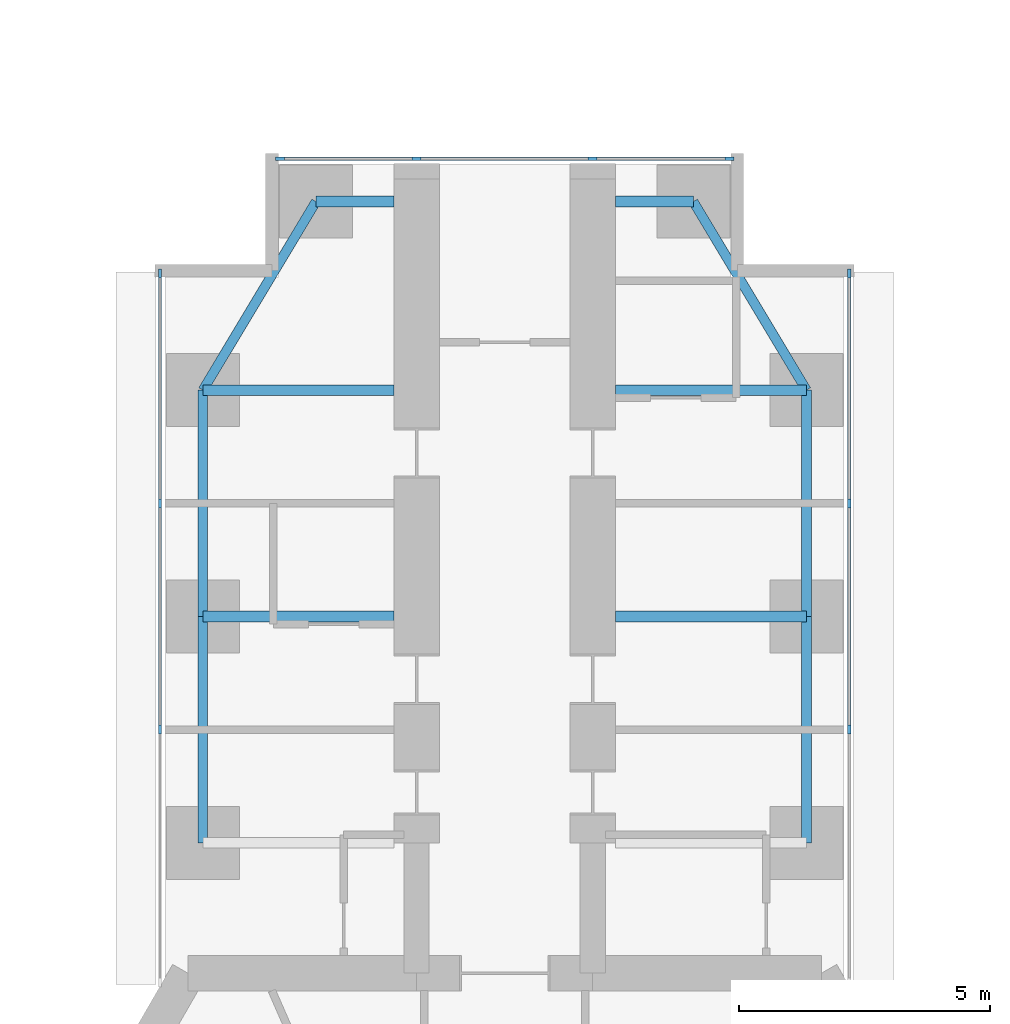
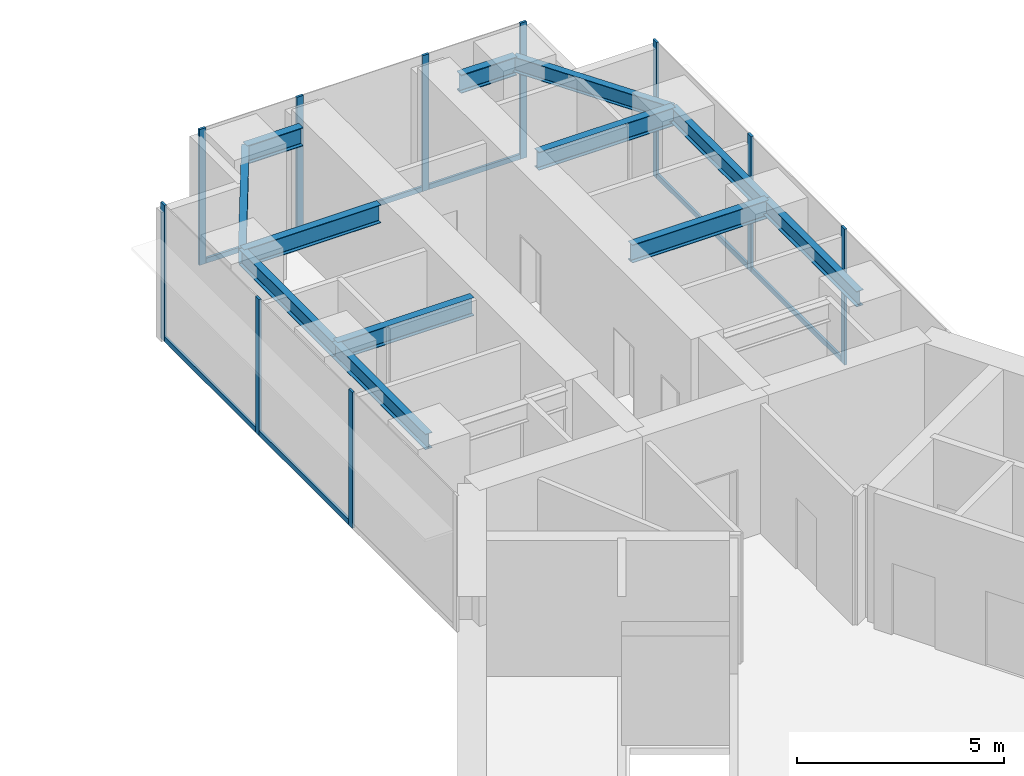
# One storey, part 13 of 24: 17 members, 12 beams, 3 elements without a shape of their own.
"""IFC4 building model written with IfcOpenShell, lengths in metres."""

import ifcopenshell
import ifcopenshell.guid

model = None  # the IFC model being written
_history = None  # IfcOwnerHistory: only IFC2X3 demands one
_inside = {}  # id of a spatial element -> (the spatial element, [elements in it])
_under = {}  # id of a project, library or spatial element -> (it, [spatial elements below it])
_declared = {}  # id of a project -> (the project, [libraries it declares])
_typed = {}  # id of a type object -> (the type object, [elements of that type])
_made_of = {}  # id of a material, layer set ... -> (it, [elements and type objects made of it])


def new_model(schema):
    """Start an empty IFC model of exactly this schema.

    Asked for "IFC4X3", IfcOpenShell would pick the latest addendum, in which some entities
    have other attributes; the version numbers below select the first issue.
    IFC2X3 requires an IfcOwnerHistory on every rooted entity: one is made here for all.
    """
    global model, _history
    if schema == "IFC4X3":
        model = ifcopenshell.file(schema_version=(4, 3, 0, 0))
    else:
        model = ifcopenshell.file(schema=schema)
    _inside.clear()
    _under.clear()
    _declared.clear()
    _typed.clear()
    _made_of.clear()
    _history = None
    if model.schema == "IFC2X3":
        org = make("IfcOrganization", Name="unknown")
        user = make(
            "IfcPersonAndOrganization",
            ThePerson=make("IfcPerson", FamilyName="unknown"),
            TheOrganization=org,
        )
        app = make(
            "IfcApplication",
            ApplicationDeveloper=org,
            Version="unknown",
            ApplicationFullName="unknown",
            ApplicationIdentifier="unknown",
        )
        _history = make(
            "IfcOwnerHistory",
            OwningUser=user,
            OwningApplication=app,
            ChangeAction="ADDED",
            CreationDate=0,
        )
    return model


def make(cls, **values):
    """One entity of the class cls with the attributes given. An attribute that is None is left unset."""
    return model.create_entity(
        cls, **{name: value for name, value in values.items() if value is not None}
    )


def rooted(cls, **values):
    """An entity with a GlobalId (a new one), such as an element, a storey or a relation."""
    return make(cls, GlobalId=ifcopenshell.guid.new(), OwnerHistory=_history, **values)


def si_unit(unit_type, name, prefix=None):
    """IfcSIUnit, for example si_unit("LENGTHUNIT", "METRE", prefix="MILLI")."""
    return make("IfcSIUnit", UnitType=unit_type, Prefix=prefix, Name=name)


def assignment(units):
    """IfcUnitAssignment: the units of a project."""
    return None if units is None else make("IfcUnitAssignment", Units=units)


def point(xyz):
    """IfcCartesianPoint."""
    return None if xyz is None else make("IfcCartesianPoint", Coordinates=xyz)


def direction(xyz):
    """IfcDirection."""
    return None if xyz is None else make("IfcDirection", DirectionRatios=xyz)


def frame(location, z_axis=None, x_axis=None):
    """IfcAxis2Placement3D, a coordinate frame: its origin and axes. An axis left out is left unset."""
    return make(
        "IfcAxis2Placement3D",
        Location=point(location),
        Axis=direction(z_axis),
        RefDirection=direction(x_axis),
    )


def frame_2d(location, x_axis=None):
    """IfcAxis2Placement2D, a coordinate frame in the plane: its origin and x axis."""
    return make(
        "IfcAxis2Placement2D", Location=point(location), RefDirection=direction(x_axis)
    )


def origin():
    """The frame at (0, 0, 0) with its axes left unset."""
    return frame((0.0, 0.0, 0.0))


def origin_2d():
    """The frame at (0, 0) in the plane with its x axis left unset."""
    return frame_2d((0.0, 0.0))


def place(relative_to, where):
    """IfcLocalPlacement: puts the frame where relative to a parent placement (None: the world)."""
    return make(
        "IfcLocalPlacement", PlacementRelTo=relative_to, RelativePlacement=where
    )


def context(
    kind, dimensions, precision=None, world=None, true_north=None, identifier=None
):
    """IfcGeometricRepresentationContext, for example the 3D "Model" context."""
    return make(
        "IfcGeometricRepresentationContext",
        ContextIdentifier=identifier,
        ContextType=kind,
        CoordinateSpaceDimension=dimensions,
        Precision=precision,
        WorldCoordinateSystem=world,
        TrueNorth=true_north,
    )


def subcontext(parent, identifier, kind, view, scale=None):
    """IfcGeometricRepresentationSubContext, for example "Body" below "Model"."""
    return make(
        "IfcGeometricRepresentationSubContext",
        ContextIdentifier=identifier,
        ContextType=kind,
        ParentContext=parent,
        TargetScale=scale,
        TargetView=view,
    )


def project(units=None, contexts=None):
    """IfcProject with its units and contexts."""
    return rooted(
        "IfcProject",
        Name="project",
        RepresentationContexts=contexts,
        UnitsInContext=assignment(units),
    )


def spatial(cls, under=None, at=None, **own):
    """A site, building, storey or space (cls), placed at a placement, below another one or the project."""
    s = rooted(cls, ObjectPlacement=at, **own)
    if under is not None:
        _under.setdefault(under.id(), (under, []))[1].append(s)
    return s


def profile(cls, at=None, kind="AREA", **sizes):
    """A parametric profile (cls). Its sizes go by their IFC names, for example OverallWidth=200.0."""
    return make(cls, ProfileType=kind, Position=at, **sizes)


def rectangle(**sizes):
    """IfcRectangleProfileDef."""
    return profile("IfcRectangleProfileDef", **sizes)


def i_section(**sizes):
    """IfcIShapeProfileDef."""
    return profile("IfcIShapeProfileDef", **sizes)


def extrude(swept, where, along, depth):
    """IfcExtrudedAreaSolid: the profile swept, set in the frame where, extruded along a direction by depth."""
    return make(
        "IfcExtrudedAreaSolid",
        SweptArea=swept,
        Position=where,
        ExtrudedDirection=direction(along),
        Depth=depth,
    )


def shape(context_of_items, identifier, shape_type, items):
    """IfcShapeRepresentation: the items that make up one representation, for example the "Body"."""
    return make(
        "IfcShapeRepresentation",
        ContextOfItems=context_of_items,
        RepresentationIdentifier=identifier,
        RepresentationType=shape_type,
        Items=items,
    )


def material(Name=None, Category=None):
    """IfcMaterial."""
    return make("IfcMaterial", Name=Name, Category=Category)


def material_profile(
    of_material, cross_section, Name=None, Category=None, Priority=None
):
    """IfcMaterialProfile: a cross section and its material."""
    return make(
        "IfcMaterialProfile",
        Name=Name,
        Material=of_material,
        Profile=cross_section,
        Priority=Priority,
        Category=Category,
    )


def profile_set(profiles, Name=None, composite=None):
    """IfcMaterialProfileSet."""
    return make(
        "IfcMaterialProfileSet",
        Name=Name,
        MaterialProfiles=profiles,
        CompositeProfile=composite,
    )


def made_of(thing, what):
    """Note that an element or type object is made of a material, layer set ...; save() writes the relation."""
    if what is not None:
        _made_of.setdefault(what.id(), (what, []))[1].append(thing)
    return thing


def type_object(cls, material=None, **own):
    """A type object (cls), such as IfcWallType, which elements share."""
    return made_of(rooted(cls, **own), material)


def element(
    cls,
    number,
    at=None,
    inside=None,
    cuts=None,
    type_object=None,
    material=None,
    context=None,
    identifier="Body",
    shape_type=None,
    held_by="IfcProductDefinitionShape",
    body=None,
    shapes=None,
    **own,
):
    """One element of the class cls, such as IfcWall. Its Tag is "e" and its number.

    at: its placement. inside: the storey or other place that contains it. cuts: it is an
    opening in that element (IfcRelVoidsElement). A single representation is given by context,
    identifier, shape_type and body (its items); several are given by shapes. held_by: the class
    of the entity that holds the representations. save() writes the other relations.
    """
    e = rooted(cls, Tag="e%d" % number, ObjectPlacement=at, **own)
    if body is not None:
        shapes = [shape(context, identifier, shape_type, body)]
    if shapes is not None:
        e.Representation = make(held_by, Representations=shapes)
    if inside is not None:
        _inside.setdefault(inside.id(), (inside, []))[1].append(e)
    if cuts is not None:
        rooted(
            "IfcRelVoidsElement", RelatingBuildingElement=cuts, RelatedOpeningElement=e
        )
    if type_object is not None:
        _typed.setdefault(type_object.id(), (type_object, []))[1].append(e)
    return made_of(e, material)


def aggregate(whole, parts):
    """IfcRelAggregates: a whole, such as a stair, and the parts it consists of."""
    return rooted("IfcRelAggregates", RelatingObject=whole, RelatedObjects=parts)


def save(model, path):
    """Write the relations noted so far, then the file.

    IfcRelAggregates (storeys below a building ...), IfcRelContainedInSpatialStructure (elements
    in a storey), IfcRelDefinesByType, IfcRelAssociatesMaterial and IfcRelDeclares: one each for
    every whole, place, type object, material and project.
    """
    for whole, parts in _under.values():
        aggregate(whole, parts)
    for where, things in _inside.values():
        rooted(
            "IfcRelContainedInSpatialStructure",
            RelatedElements=things,
            RelatingStructure=where,
        )
    for kind, things in _typed.values():
        rooted("IfcRelDefinesByType", RelatedObjects=things, RelatingType=kind)
    for what, things in _made_of.values():
        rooted("IfcRelAssociatesMaterial", RelatedObjects=things, RelatingMaterial=what)
    for by, libraries in _declared.values():
        rooted("IfcRelDeclares", RelatingContext=by, RelatedDefinitions=libraries)
    model.write(path)


model = new_model("IFC4")

# Units and contexts
model_context = context("Model", 3, precision=1e-05, world=origin(), true_north=direction((0.0, 1.0)))
body_context = subcontext(model_context, "Body", "Model", "MODEL_VIEW")
ifc_project = project(units=[si_unit("LENGTHUNIT", "METRE"), si_unit("AREAUNIT", "SQUARE_METRE"), si_unit("VOLUMEUNIT", "CUBIC_METRE"), si_unit("PLANEANGLEUNIT", "RADIAN"), si_unit("MASSUNIT", "GRAM", prefix="KILO")], contexts=[model_context])

# Site, building, storey
site_placement = place(None, origin())
site = spatial("IfcSite", under=ifc_project, at=site_placement, CompositionType="ELEMENT")
building_placement = place(site_placement, origin())
building = spatial("IfcBuilding", under=site, at=building_placement, Name="Upepo Twin Towers", CompositionType="ELEMENT")
storey_placement = place(building_placement, frame((0.0, 0.0, 52.5)))
storey = spatial("IfcBuildingStorey", under=building, at=storey_placement, Name="L12", CompositionType="ELEMENT", Elevation=52.5)

# Beams
ifc_material_1 = material(Name="Steel S355", Category="steel")
ifc_material_profile_1 = material_profile(ifc_material_1, i_section(OverallWidth=0.1904296875, OverallDepth=0.45703125, WebThickness=0.009033203125, FlangeThickness=0.014404296875, FilletRadius=0.01025390625, at=origin_2d()), Name="UB 457x191x74")
ifc_profile_set_1 = profile_set([ifc_material_profile_1], Name="Steel S355")
beam_type_1 = type_object("IfcBeamType", Name="Beam UB 457x191x74", PredefinedType="BEAM", material=ifc_profile_set_1)
for number, where, z_axis, x_axis, name in (
    (1, (52.5, -4.5, 3.571533203125), (0.0, 1.0, 0.0), (-1.0, 0.0, 0.0), "T2 edge beam AL 13.5-18.0"),
    (2, (52.5, 0.0, 3.571533203125), (0.0, 1.0, 0.0), (-1.0, 0.0, 0.0), "T2 edge beam AL 18.0-22.5"),
):
    element("IfcBeam", number, at=place(storey_placement, frame(where, z_axis=z_axis, x_axis=x_axis)), inside=storey, type_object=beam_type_1, Name=name, PredefinedType="BEAM", context=body_context, shape_type="SweptSolid", body=[
        extrude(i_section(OverallWidth=0.1904296875, OverallDepth=0.45703125, WebThickness=0.009033203125, FlangeThickness=0.014404296875, FilletRadius=0.01025390625, at=origin_2d()), origin(), (0.0, 0.0, 1.0), 4.5),
    ])
beam_1_placement = place(storey_placement, frame((52.5, 4.5, 3.571533203125), z_axis=(0.514495755428, 0.857492925713, 0.0), x_axis=(-0.857492925713, 0.514495755428, 0.0)))
element("IfcBeam", 3, at=beam_1_placement, inside=storey, type_object=beam_type_1, Name="T2 nose edge beam AL", PredefinedType="BEAM", context=body_context, shape_type="SweptSolid", body=[
    extrude(i_section(OverallWidth=0.1904296875, OverallDepth=0.45703125, WebThickness=0.009033203125, FlangeThickness=0.014404296875, FilletRadius=0.01025390625, at=origin_2d()), origin(), (0.0, 0.0, 1.0), 4.373291015625),
])
for number, where, z_axis, x_axis, name in (
    (4, (64.5, -4.5, 3.571533203125), (0.0, 1.0, 0.0), (-1.0, 0.0, 0.0), "T2 edge beam AR 13.5-18.0"),
    (5, (64.5, 0.0, 3.571533203125), (0.0, 1.0, 0.0), (-1.0, 0.0, 0.0), "T2 edge beam AR 18.0-22.5"),
):
    element("IfcBeam", number, at=place(storey_placement, frame(where, z_axis=z_axis, x_axis=x_axis)), inside=storey, type_object=beam_type_1, Name=name, PredefinedType="BEAM", context=body_context, shape_type="SweptSolid", body=[
        extrude(i_section(OverallWidth=0.1904296875, OverallDepth=0.45703125, WebThickness=0.009033203125, FlangeThickness=0.014404296875, FilletRadius=0.01025390625, at=origin_2d()), origin(), (0.0, 0.0, 1.0), 4.5),
    ])
beam_2_placement = place(storey_placement, frame((64.5, 4.5, 3.571533203125), z_axis=(-0.514495755428, 0.857492925713, 0.0), x_axis=(-0.857492925713, -0.514495755428, 0.0)))
element("IfcBeam", 6, at=beam_2_placement, inside=storey, type_object=beam_type_1, Name="T2 nose edge beam AR", PredefinedType="BEAM", context=body_context, shape_type="SweptSolid", body=[
    extrude(i_section(OverallWidth=0.1904296875, OverallDepth=0.45703125, WebThickness=0.009033203125, FlangeThickness=0.014404296875, FilletRadius=0.01025390625, at=origin_2d()), origin(), (0.0, 0.0, 1.0), 4.373291015625),
])
ifc_material_2 = material(Name="Steel S355", Category="steel")
ifc_material_profile_2 = material_profile(ifc_material_2, i_section(OverallWidth=0.2119140625, OverallDepth=0.54443359375, WebThickness=0.0126953125, FlangeThickness=0.021240234375, FilletRadius=0.0126953125, at=origin_2d()), Name="UB 533x210x122")
ifc_profile_set_2 = profile_set([ifc_material_profile_2], Name="Steel S355")
beam_type_2 = type_object("IfcBeamType", Name="Beam UB 533x210x122", PredefinedType="BEAM", material=ifc_profile_set_2)
for number, where, z_axis, x_axis, name in (
    (7, (54.75, 8.25, 3.52783203125), (1.0, 0.0, 0.0), (0.0, 1.0, 0.0), "T2 nose beam AL"),
    (8, (62.25, 8.25, 3.52783203125), (-1.0, 0.0, 0.0), (0.0, -1.0, 0.0), "T2 nose beam AR"),
):
    element("IfcBeam", number, at=place(storey_placement, frame(where, z_axis=z_axis, x_axis=x_axis)), inside=storey, type_object=beam_type_2, Name=name, PredefinedType="BEAM", context=body_context, shape_type="SweptSolid", body=[
        extrude(i_section(OverallWidth=0.2119140625, OverallDepth=0.54443359375, WebThickness=0.0126953125, FlangeThickness=0.021240234375, FilletRadius=0.0126953125, at=origin_2d()), origin(), (0.0, 0.0, 1.0), 1.550048828125),
    ])
ifc_material_3 = material(Name="Steel S355", Category="steel")
ifc_material_profile_3 = material_profile(ifc_material_3, i_section(OverallWidth=0.209228515625, OverallDepth=0.533203125, WebThickness=0.010009765625, FlangeThickness=0.015625, FilletRadius=0.0126953125, at=origin_2d()), Name="UB 533x210x92")
ifc_profile_set_3 = profile_set([ifc_material_profile_3], Name="Steel S355")
beam_type_3 = type_object("IfcBeamType", Name="Beam UB 533x210x92", PredefinedType="BEAM", material=ifc_profile_set_3)
for number, where, z_axis, x_axis, name in (
    (9, (52.5, 0.0, 3.533447265625), (1.0, 0.0, 0.0), (0.0, 1.0, 0.0), "T2 girder AL at 18.0"),
    (10, (52.5, 4.5, 3.533447265625), (1.0, 0.0, 0.0), (0.0, 1.0, 0.0), "T2 girder AL at 22.5"),
    (11, (64.5, 0.0, 3.533447265625), (-1.0, 0.0, 0.0), (0.0, -1.0, 0.0), "T2 girder AR at 18.0"),
    (12, (64.5, 4.5, 3.533447265625), (-1.0, 0.0, 0.0), (0.0, -1.0, 0.0), "T2 girder AR at 22.5"),
):
    element("IfcBeam", number, at=place(storey_placement, frame(where, z_axis=z_axis, x_axis=x_axis)), inside=storey, type_object=beam_type_3, Name=name, PredefinedType="BEAM", context=body_context, shape_type="SweptSolid", body=[
        extrude(i_section(OverallWidth=0.209228515625, OverallDepth=0.533203125, WebThickness=0.010009765625, FlangeThickness=0.015625, FilletRadius=0.0126953125, at=origin_2d()), origin(), (0.0, 0.0, 1.0), 3.800048828125),
    ])

# Curtain wall, members
ifc_material_4 = material(Name="Aluminium and fritted glass", Category="aluminium")
curtain_wall_type = type_object("IfcCurtainWallType", Name="Tower curtain wall TW1, fritted glass", PredefinedType="NOTDEFINED", material=ifc_material_4)
curtain_wall_1_placement = place(storey_placement, origin())
curtain_wall_1 = element("IfcCurtainWall", 13, at=curtain_wall_1_placement, inside=storey, type_object=curtain_wall_type, Name="T2 L12 wing A flank L curtain wall", PredefinedType="NOTDEFINED")
ifc_material_5 = material(Name="Aluminium mullion", Category="aluminium")
ifc_material_profile_4 = material_profile(ifc_material_5, rectangle(XDim=0.06494140625, YDim=0.179931640625, at=origin_2d()), Name="MULLION 65x180")
ifc_profile_set_4 = profile_set([ifc_material_profile_4], Name="Aluminium mullion")
member_type_1 = type_object("IfcMemberType", Name="Mullion 65x180 TW1", PredefinedType="MULLION", material=ifc_profile_set_4)
member_1_placement = place(storey_placement, frame((51.64990234375, -2.25, 0.0), z_axis=(0.0, 0.0, 1.0), x_axis=(-1.0, 0.0, 0.0)))
member_1 = element("IfcMember", 14, at=member_1_placement, type_object=member_type_1, Name="T2 L12 wing A flank L curtain wall mullion 2", PredefinedType="MULLION", context=body_context, shape_type="SweptSolid", body=[
    extrude(rectangle(XDim=0.06494140625, YDim=0.179931640625, at=origin_2d()), origin(), (0.0, 0.0, 1.0), 4.0),
])
member_2_placement = place(storey_placement, frame((51.64990234375, 2.25, 0.0), z_axis=(0.0, 0.0, 1.0), x_axis=(-1.0, 0.0, 0.0)))
member_2 = element("IfcMember", 15, at=member_2_placement, type_object=member_type_1, Name="T2 L12 wing A flank L curtain wall mullion 3", PredefinedType="MULLION", context=body_context, shape_type="SweptSolid", body=[
    extrude(rectangle(XDim=0.06494140625, YDim=0.179931640625, at=origin_2d()), origin(), (0.0, 0.0, 1.0), 4.0),
])
member_3_placement = place(storey_placement, frame((51.64990234375, 6.8173828125, 0.0), z_axis=(0.0, 0.0, 1.0), x_axis=(-1.0, 0.0, 0.0)))
member_3 = element("IfcMember", 16, at=member_3_placement, type_object=member_type_1, Name="T2 L12 wing A flank L curtain wall mullion 4", PredefinedType="MULLION", context=body_context, shape_type="SweptSolid", body=[
    extrude(rectangle(XDim=0.06494140625, YDim=0.179931640625, at=origin_2d()), origin(), (0.0, 0.0, 1.0), 4.0),
])

curtain_wall_2_placement = place(storey_placement, origin())
curtain_wall_2 = element("IfcCurtainWall", 17, at=curtain_wall_2_placement, inside=storey, type_object=curtain_wall_type, Name="T2 L12 wing A flank R curtain wall", PredefinedType="NOTDEFINED")
member_4_placement = place(storey_placement, frame((65.35009765625, 6.8173828125, 0.0), z_axis=(0.0, 0.0, 1.0), x_axis=(1.0, 0.0, 0.0)))
member_4 = element("IfcMember", 18, at=member_4_placement, type_object=member_type_1, Name="T2 L12 wing A flank R curtain wall mullion 1", PredefinedType="MULLION", context=body_context, shape_type="SweptSolid", body=[
    extrude(rectangle(XDim=0.06494140625, YDim=0.179931640625, at=origin_2d()), origin(), (0.0, 0.0, 1.0), 4.0),
])
member_5_placement = place(storey_placement, frame((65.35009765625, 2.25, 0.0), z_axis=(0.0, 0.0, 1.0), x_axis=(1.0, 0.0, 0.0)))
member_5 = element("IfcMember", 19, at=member_5_placement, type_object=member_type_1, Name="T2 L12 wing A flank R curtain wall mullion 2", PredefinedType="MULLION", context=body_context, shape_type="SweptSolid", body=[
    extrude(rectangle(XDim=0.06494140625, YDim=0.179931640625, at=origin_2d()), origin(), (0.0, 0.0, 1.0), 4.0),
])
member_6_placement = place(storey_placement, frame((65.35009765625, -2.25, 0.0), z_axis=(0.0, 0.0, 1.0), x_axis=(1.0, 0.0, 0.0)))
member_6 = element("IfcMember", 20, at=member_6_placement, type_object=member_type_1, Name="T2 L12 wing A flank R curtain wall mullion 3", PredefinedType="MULLION", context=body_context, shape_type="SweptSolid", body=[
    extrude(rectangle(XDim=0.06494140625, YDim=0.179931640625, at=origin_2d()), origin(), (0.0, 0.0, 1.0), 4.0),
])

curtain_wall_3_placement = place(storey_placement, origin())
curtain_wall_3 = element("IfcCurtainWall", 21, at=curtain_wall_3_placement, inside=storey, type_object=curtain_wall_type, Name="T2 L12 wing A nose curtain wall", PredefinedType="NOTDEFINED")
member_7_placement = place(storey_placement, frame((62.967529296875, 9.10009765625, 0.0), z_axis=(0.0, 0.0, 1.0), x_axis=(0.0, -1.0, 0.0)))
member_7 = element("IfcMember", 22, at=member_7_placement, type_object=member_type_1, Name="T2 L12 wing A nose curtain wall mullion 1", PredefinedType="MULLION", context=body_context, shape_type="SweptSolid", body=[
    extrude(rectangle(XDim=0.06494140625, YDim=0.179931640625, at=origin_2d()), origin(), (0.0, 0.0, 1.0), 4.0),
])
member_8_placement = place(storey_placement, frame((60.25, 9.10009765625, 0.0), z_axis=(0.0, 0.0, 1.0), x_axis=(0.0, -1.0, 0.0)))
member_8 = element("IfcMember", 23, at=member_8_placement, type_object=member_type_1, Name="T2 L12 wing A nose curtain wall mullion 2", PredefinedType="MULLION", context=body_context, shape_type="SweptSolid", body=[
    extrude(rectangle(XDim=0.06494140625, YDim=0.179931640625, at=origin_2d()), origin(), (0.0, 0.0, 1.0), 4.0),
])
member_9_placement = place(storey_placement, frame((56.75, 9.10009765625, 0.0), z_axis=(0.0, 0.0, 1.0), x_axis=(0.0, -1.0, 0.0)))
member_9 = element("IfcMember", 24, at=member_9_placement, type_object=member_type_1, Name="T2 L12 wing A nose curtain wall mullion 3", PredefinedType="MULLION", context=body_context, shape_type="SweptSolid", body=[
    extrude(rectangle(XDim=0.06494140625, YDim=0.179931640625, at=origin_2d()), origin(), (0.0, 0.0, 1.0), 4.0),
])
member_10_placement = place(storey_placement, frame((54.032470703125, 9.10009765625, 0.0), z_axis=(0.0, 0.0, 1.0), x_axis=(0.0, -1.0, 0.0)))
member_10 = element("IfcMember", 25, at=member_10_placement, type_object=member_type_1, Name="T2 L12 wing A nose curtain wall mullion 4", PredefinedType="MULLION", context=body_context, shape_type="SweptSolid", body=[
    extrude(rectangle(XDim=0.06494140625, YDim=0.179931640625, at=origin_2d()), origin(), (0.0, 0.0, 1.0), 4.0),
])

# Member
ifc_material_6 = material(Name="Aluminium transom", Category="aluminium")
ifc_material_profile_5 = material_profile(ifc_material_6, rectangle(XDim=0.06494140625, YDim=0.14990234375, at=origin_2d()), Name="TRANSOM 65x150")
ifc_profile_set_5 = profile_set([ifc_material_profile_5], Name="Aluminium transom")
member_type_2 = type_object("IfcMemberType", Name="Transom 65x150 TW1", PredefinedType="USERDEFINED", material=ifc_profile_set_5)
member_11_placement = place(storey_placement, frame((51.64990234375, -2.217529296875, 0.074951171875), z_axis=(0.0, 1.0, 0.0), x_axis=(-1.0, 0.0, 0.0)))
member_11 = element("IfcMember", 26, at=member_11_placement, type_object=member_type_2, Name="T2 L12 wing A flank L curtain wall transom 2", ObjectType="TRANSOM", PredefinedType="USERDEFINED", context=body_context, shape_type="SweptSolid", body=[
    extrude(rectangle(XDim=0.06494140625, YDim=0.14990234375, at=origin_2d()), origin(), (0.0, 0.0, 1.0), 4.43505859375),
])

member_12_placement = place(storey_placement, frame((51.64990234375, 2.282470703125, 0.074951171875), z_axis=(0.0, 1.0, 0.0), x_axis=(-1.0, 0.0, 0.0)))
member_12 = element("IfcMember", 27, at=member_12_placement, type_object=member_type_2, Name="T2 L12 wing A flank L curtain wall transom 3", ObjectType="TRANSOM", PredefinedType="USERDEFINED", context=body_context, shape_type="SweptSolid", body=[
    extrude(rectangle(XDim=0.06494140625, YDim=0.14990234375, at=origin_2d()), origin(), (0.0, 0.0, 1.0), 4.50244140625),
])

aggregate(curtain_wall_1, [member_1, member_2, member_3, member_11, member_12])

member_13_placement = place(storey_placement, frame((65.35009765625, 6.784912109375, 0.074951171875), z_axis=(0.0, -1.0, 0.0), x_axis=(1.0, 0.0, 0.0)))
member_13 = element("IfcMember", 28, at=member_13_placement, type_object=member_type_2, Name="T2 L12 wing A flank R curtain wall transom 1", ObjectType="TRANSOM", PredefinedType="USERDEFINED", context=body_context, shape_type="SweptSolid", body=[
    extrude(rectangle(XDim=0.06494140625, YDim=0.14990234375, at=origin_2d()), origin(), (0.0, 0.0, 1.0), 4.50244140625),
])

member_14_placement = place(storey_placement, frame((65.35009765625, 2.217529296875, 0.074951171875), z_axis=(0.0, -1.0, 0.0), x_axis=(1.0, 0.0, 0.0)))
member_14 = element("IfcMember", 29, at=member_14_placement, type_object=member_type_2, Name="T2 L12 wing A flank R curtain wall transom 2", ObjectType="TRANSOM", PredefinedType="USERDEFINED", context=body_context, shape_type="SweptSolid", body=[
    extrude(rectangle(XDim=0.06494140625, YDim=0.14990234375, at=origin_2d()), origin(), (0.0, 0.0, 1.0), 4.43505859375),
])

aggregate(curtain_wall_2, [member_4, member_5, member_6, member_13, member_14])

member_15_placement = place(storey_placement, frame((62.93505859375, 9.10009765625, 0.074951171875), z_axis=(-1.0, 0.0, 0.0), x_axis=(0.0, -1.0, 0.0)))
member_15 = element("IfcMember", 30, at=member_15_placement, type_object=member_type_2, Name="T2 L12 wing A nose curtain wall transom 1", ObjectType="TRANSOM", PredefinedType="USERDEFINED", context=body_context, shape_type="SweptSolid", body=[
    extrude(rectangle(XDim=0.06494140625, YDim=0.14990234375, at=origin_2d()), origin(), (0.0, 0.0, 1.0), 2.652587890625),
])

member_16_placement = place(storey_placement, frame((60.217529296875, 9.10009765625, 0.074951171875), z_axis=(-1.0, 0.0, 0.0), x_axis=(0.0, -1.0, 0.0)))
member_16 = element("IfcMember", 31, at=member_16_placement, type_object=member_type_2, Name="T2 L12 wing A nose curtain wall transom 2", ObjectType="TRANSOM", PredefinedType="USERDEFINED", context=body_context, shape_type="SweptSolid", body=[
    extrude(rectangle(XDim=0.06494140625, YDim=0.14990234375, at=origin_2d()), origin(), (0.0, 0.0, 1.0), 3.43505859375),
])

member_17_placement = place(storey_placement, frame((56.717529296875, 9.10009765625, 0.074951171875), z_axis=(-1.0, 0.0, 0.0), x_axis=(0.0, -1.0, 0.0)))
member_17 = element("IfcMember", 32, at=member_17_placement, type_object=member_type_2, Name="T2 L12 wing A nose curtain wall transom 3", ObjectType="TRANSOM", PredefinedType="USERDEFINED", context=body_context, shape_type="SweptSolid", body=[
    extrude(rectangle(XDim=0.06494140625, YDim=0.14990234375, at=origin_2d()), origin(), (0.0, 0.0, 1.0), 2.652587890625),
])

aggregate(curtain_wall_3, [member_7, member_8, member_9, member_10, member_15, member_16, member_17])

save(model, "model.ifc")
